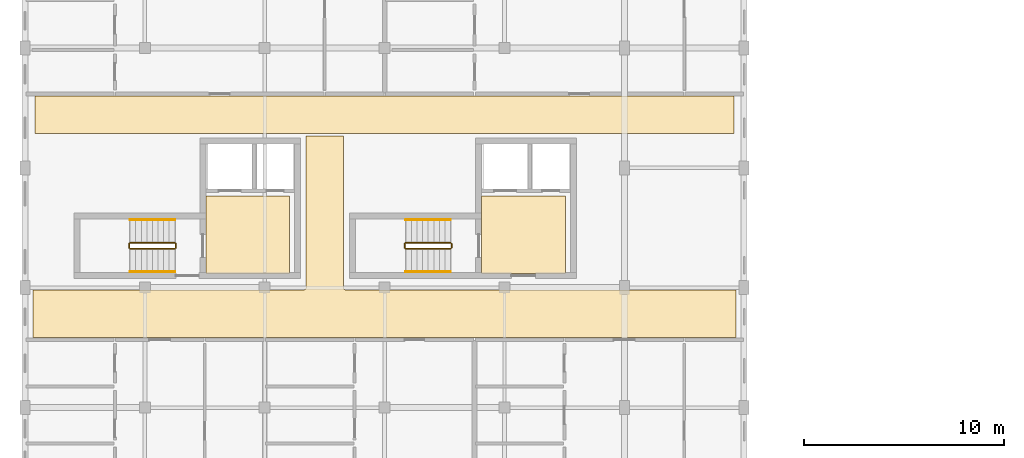
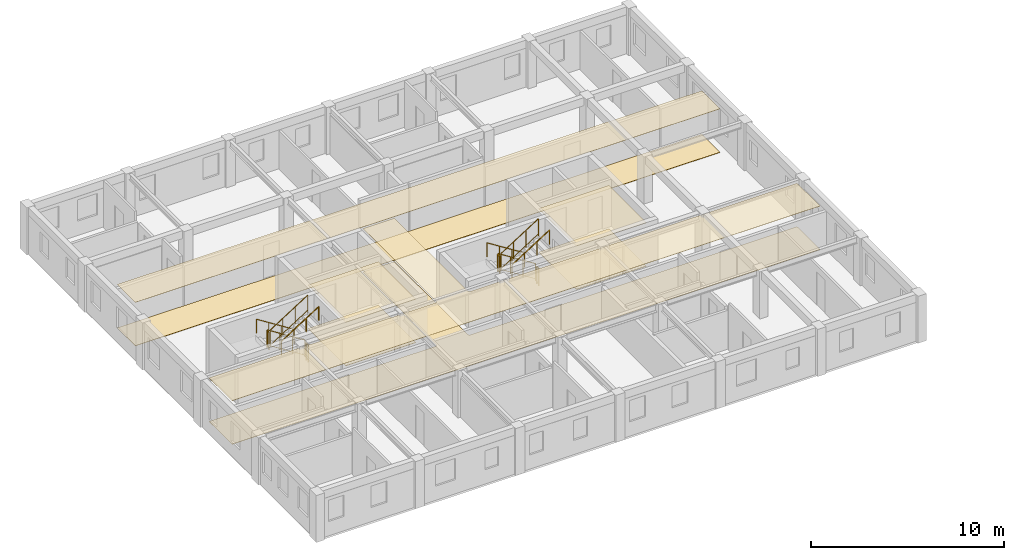
# One storey, part 25 of 28: 12 railings, 8 coverings.
"""IFC4 building model written with IfcOpenShell, lengths in metres."""

import ifcopenshell
import ifcopenshell.guid

model = None  # the IFC model being written
_history = None  # IfcOwnerHistory: only IFC2X3 demands one
_inside = {}  # id of a spatial element -> (the spatial element, [elements in it])
_under = {}  # id of a project, library or spatial element -> (it, [spatial elements below it])
_declared = {}  # id of a project -> (the project, [libraries it declares])
_typed = {}  # id of a type object -> (the type object, [elements of that type])
_made_of = {}  # id of a material, layer set ... -> (it, [elements and type objects made of it])


def new_model(schema):
    """Start an empty IFC model of exactly this schema.

    Asked for "IFC4X3", IfcOpenShell would pick the latest addendum, in which some entities
    have other attributes; the version numbers below select the first issue.
    IFC2X3 requires an IfcOwnerHistory on every rooted entity: one is made here for all.
    """
    global model, _history
    if schema == "IFC4X3":
        model = ifcopenshell.file(schema_version=(4, 3, 0, 0))
    else:
        model = ifcopenshell.file(schema=schema)
    _inside.clear()
    _under.clear()
    _declared.clear()
    _typed.clear()
    _made_of.clear()
    _history = None
    if model.schema == "IFC2X3":
        org = make("IfcOrganization", Name="unknown")
        user = make(
            "IfcPersonAndOrganization",
            ThePerson=make("IfcPerson", FamilyName="unknown"),
            TheOrganization=org,
        )
        app = make(
            "IfcApplication",
            ApplicationDeveloper=org,
            Version="unknown",
            ApplicationFullName="unknown",
            ApplicationIdentifier="unknown",
        )
        _history = make(
            "IfcOwnerHistory",
            OwningUser=user,
            OwningApplication=app,
            ChangeAction="ADDED",
            CreationDate=0,
        )
    return model


def make(cls, **values):
    """One entity of the class cls with the attributes given. An attribute that is None is left unset."""
    return model.create_entity(
        cls, **{name: value for name, value in values.items() if value is not None}
    )


def rooted(cls, **values):
    """An entity with a GlobalId (a new one), such as an element, a storey or a relation."""
    return make(cls, GlobalId=ifcopenshell.guid.new(), OwnerHistory=_history, **values)


def si_unit(unit_type, name, prefix=None):
    """IfcSIUnit, for example si_unit("LENGTHUNIT", "METRE", prefix="MILLI")."""
    return make("IfcSIUnit", UnitType=unit_type, Prefix=prefix, Name=name)


def assignment(units):
    """IfcUnitAssignment: the units of a project."""
    return None if units is None else make("IfcUnitAssignment", Units=units)


def point(xyz):
    """IfcCartesianPoint."""
    return None if xyz is None else make("IfcCartesianPoint", Coordinates=xyz)


def direction(xyz):
    """IfcDirection."""
    return None if xyz is None else make("IfcDirection", DirectionRatios=xyz)


def frame(location, z_axis=None, x_axis=None):
    """IfcAxis2Placement3D, a coordinate frame: its origin and axes. An axis left out is left unset."""
    return make(
        "IfcAxis2Placement3D",
        Location=point(location),
        Axis=direction(z_axis),
        RefDirection=direction(x_axis),
    )


def frame_2d(location, x_axis=None):
    """IfcAxis2Placement2D, a coordinate frame in the plane: its origin and x axis."""
    return make(
        "IfcAxis2Placement2D", Location=point(location), RefDirection=direction(x_axis)
    )


def origin():
    """The frame at (0, 0, 0) with its axes left unset."""
    return frame((0.0, 0.0, 0.0))


def origin_2d():
    """The frame at (0, 0) in the plane with its x axis left unset."""
    return frame_2d((0.0, 0.0))


def place(relative_to, where):
    """IfcLocalPlacement: puts the frame where relative to a parent placement (None: the world)."""
    return make(
        "IfcLocalPlacement", PlacementRelTo=relative_to, RelativePlacement=where
    )


def context(
    kind, dimensions, precision=None, world=None, true_north=None, identifier=None
):
    """IfcGeometricRepresentationContext, for example the 3D "Model" context."""
    return make(
        "IfcGeometricRepresentationContext",
        ContextIdentifier=identifier,
        ContextType=kind,
        CoordinateSpaceDimension=dimensions,
        Precision=precision,
        WorldCoordinateSystem=world,
        TrueNorth=true_north,
    )


def subcontext(parent, identifier, kind, view, scale=None):
    """IfcGeometricRepresentationSubContext, for example "Body" below "Model"."""
    return make(
        "IfcGeometricRepresentationSubContext",
        ContextIdentifier=identifier,
        ContextType=kind,
        ParentContext=parent,
        TargetScale=scale,
        TargetView=view,
    )


def project(units=None, contexts=None):
    """IfcProject with its units and contexts."""
    return rooted(
        "IfcProject",
        Name="project",
        RepresentationContexts=contexts,
        UnitsInContext=assignment(units),
    )


def spatial(cls, under=None, at=None, **own):
    """A site, building, storey or space (cls), placed at a placement, below another one or the project."""
    s = rooted(cls, ObjectPlacement=at, **own)
    if under is not None:
        _under.setdefault(under.id(), (under, []))[1].append(s)
    return s


def polyline(points):
    """IfcPolyline through the points."""
    return make("IfcPolyline", Points=[point(p) for p in points])


def profile(cls, at=None, kind="AREA", **sizes):
    """A parametric profile (cls). Its sizes go by their IFC names, for example OverallWidth=200.0."""
    return make(cls, ProfileType=kind, Position=at, **sizes)


def circle(**sizes):
    """IfcCircleProfileDef."""
    return profile("IfcCircleProfileDef", **sizes)


def outline(outer, holes=None, kind="AREA"):
    """IfcArbitraryClosedProfileDef: a profile drawn as a closed curve; with holes, ...WithVoids."""
    if holes is None:
        return make("IfcArbitraryClosedProfileDef", ProfileType=kind, OuterCurve=outer)
    return make(
        "IfcArbitraryProfileDefWithVoids",
        ProfileType=kind,
        OuterCurve=outer,
        InnerCurves=holes,
    )


def extrude(swept, where, along, depth):
    """IfcExtrudedAreaSolid: the profile swept, set in the frame where, extruded along a direction by depth."""
    return make(
        "IfcExtrudedAreaSolid",
        SweptArea=swept,
        Position=where,
        ExtrudedDirection=direction(along),
        Depth=depth,
    )


def shape(context_of_items, identifier, shape_type, items):
    """IfcShapeRepresentation: the items that make up one representation, for example the "Body"."""
    return make(
        "IfcShapeRepresentation",
        ContextOfItems=context_of_items,
        RepresentationIdentifier=identifier,
        RepresentationType=shape_type,
        Items=items,
    )


def material(Name=None, Category=None):
    """IfcMaterial."""
    return make("IfcMaterial", Name=Name, Category=Category)


def layer(
    of_material, thickness, ventilated=None, Name=None, Category=None, Priority=None
):
    """IfcMaterialLayer: one layer of a wall or slab, of a material (None: an air gap)."""
    return make(
        "IfcMaterialLayer",
        Material=of_material,
        LayerThickness=thickness,
        IsVentilated=ventilated,
        Name=Name,
        Category=Category,
        Priority=Priority,
    )


def layer_set(layers, Name=None):
    """IfcMaterialLayerSet."""
    return make("IfcMaterialLayerSet", MaterialLayers=layers, LayerSetName=Name)


def made_of(thing, what):
    """Note that an element or type object is made of a material, layer set ...; save() writes the relation."""
    if what is not None:
        _made_of.setdefault(what.id(), (what, []))[1].append(thing)
    return thing


def type_object(cls, material=None, **own):
    """A type object (cls), such as IfcWallType, which elements share."""
    return made_of(rooted(cls, **own), material)


def element(
    cls,
    number,
    at=None,
    inside=None,
    cuts=None,
    type_object=None,
    material=None,
    context=None,
    identifier="Body",
    shape_type=None,
    held_by="IfcProductDefinitionShape",
    body=None,
    shapes=None,
    **own,
):
    """One element of the class cls, such as IfcWall. Its Tag is "e" and its number.

    at: its placement. inside: the storey or other place that contains it. cuts: it is an
    opening in that element (IfcRelVoidsElement). A single representation is given by context,
    identifier, shape_type and body (its items); several are given by shapes. held_by: the class
    of the entity that holds the representations. save() writes the other relations.
    """
    e = rooted(cls, Tag="e%d" % number, ObjectPlacement=at, **own)
    if body is not None:
        shapes = [shape(context, identifier, shape_type, body)]
    if shapes is not None:
        e.Representation = make(held_by, Representations=shapes)
    if inside is not None:
        _inside.setdefault(inside.id(), (inside, []))[1].append(e)
    if cuts is not None:
        rooted(
            "IfcRelVoidsElement", RelatingBuildingElement=cuts, RelatedOpeningElement=e
        )
    if type_object is not None:
        _typed.setdefault(type_object.id(), (type_object, []))[1].append(e)
    return made_of(e, material)


def aggregate(whole, parts):
    """IfcRelAggregates: a whole, such as a stair, and the parts it consists of."""
    return rooted("IfcRelAggregates", RelatingObject=whole, RelatedObjects=parts)


def save(model, path):
    """Write the relations noted so far, then the file.

    IfcRelAggregates (storeys below a building ...), IfcRelContainedInSpatialStructure (elements
    in a storey), IfcRelDefinesByType, IfcRelAssociatesMaterial and IfcRelDeclares: one each for
    every whole, place, type object, material and project.
    """
    for whole, parts in _under.values():
        aggregate(whole, parts)
    for where, things in _inside.values():
        rooted(
            "IfcRelContainedInSpatialStructure",
            RelatedElements=things,
            RelatingStructure=where,
        )
    for kind, things in _typed.values():
        rooted("IfcRelDefinesByType", RelatedObjects=things, RelatingType=kind)
    for what, things in _made_of.values():
        rooted("IfcRelAssociatesMaterial", RelatedObjects=things, RelatingMaterial=what)
    for by, libraries in _declared.values():
        rooted("IfcRelDeclares", RelatingContext=by, RelatedDefinitions=libraries)
    model.write(path)


model = new_model("IFC4")

# Units and contexts
model_context = context("Model", 3, precision=1e-05, world=origin(), true_north=direction((0.0, 1.0)))
body_context = subcontext(model_context, "Body", "Model", "MODEL_VIEW")
ifc_project = project(units=[si_unit("LENGTHUNIT", "METRE"), si_unit("AREAUNIT", "SQUARE_METRE"), si_unit("VOLUMEUNIT", "CUBIC_METRE"), si_unit("PLANEANGLEUNIT", "RADIAN"), si_unit("MASSUNIT", "GRAM", prefix="KILO"), si_unit("POWERUNIT", "WATT"), si_unit("THERMODYNAMICTEMPERATUREUNIT", "KELVIN")], contexts=[model_context])

# Site, building, storey
site_placement = place(None, origin())
site = spatial("IfcSite", under=ifc_project, at=site_placement, CompositionType="ELEMENT")
building_placement = place(site_placement, origin())
building = spatial("IfcBuilding", under=site, at=building_placement, Name="Ruvembo Vaulted Housing Court", CompositionType="ELEMENT")
storey_placement = place(building_placement, frame((0.0, 0.0, 23.699951171875)))
storey = spatial("IfcBuildingStorey", under=building, at=storey_placement, Name="L07", CompositionType="ELEMENT", Elevation=23.699951171875)

# Coverings
ifc_material_1 = material(Name="Perforated Mineral-Fibre Acoustic Tile", Category="gypsum")
ifc_layer_1 = layer(ifc_material_1, 0.02001953125, Name="Perforated Mineral-Fibre Acoustic Tile")
ifc_layer_set_1 = layer_set([ifc_layer_1], Name="Perforated Mineral-Fibre Acoustic Tile")
covering_type_1 = type_object("IfcCoveringType", Name="COV-CEIL-ACOUST", PredefinedType="CEILING", material=ifc_layer_set_1)
covering_1_placement = place(storey_placement, frame((0.0, 0.0, 2.75)))
element("IfcCovering", 1, at=covering_1_placement, inside=storey, type_object=covering_type_1, Name="Firefighting Lift Lobby A1 Ceiling", PredefinedType="CEILING", context=body_context, shape_type="SweptSolid", body=[
    extrude(outline(polyline([(13.25, 22.60009765625), (9.050048828125, 22.60009765625), (9.050048828125, 18.699951171875), (13.25, 18.699951171875), (13.25, 22.60009765625)])), origin(), (0.0, 0.0, 1.0), 0.02001953125),
])
covering_2_placement = place(storey_placement, frame((0.0, 0.0, 2.75)))
element("IfcCovering", 2, at=covering_2_placement, inside=storey, type_object=covering_type_1, Name="Firefighting Lift Lobby A2 Ceiling", PredefinedType="CEILING", context=body_context, shape_type="SweptSolid", body=[
    extrude(outline(polyline([(27.050048828125, 22.60009765625), (22.85009765625, 22.60009765625), (22.85009765625, 18.699951171875), (27.050048828125, 18.699951171875), (27.050048828125, 22.60009765625)])), origin(), (0.0, 0.0, 1.0), 0.02001953125),
])
covering_3_placement = place(storey_placement, frame((0.0, 0.0, 2.75)))
element("IfcCovering", 3, at=covering_3_placement, inside=storey, type_object=covering_type_1, Name="Block A L07 Corridor Ceiling", PredefinedType="CEILING", context=body_context, shape_type="SweptSolid", body=[
    extrude(outline(polyline([(35.590087890625, 15.510009765625), (35.590087890625, 17.889892578125), (16.050048828125, 17.889892578125), (16.039306640625, 17.890380859375), (16.028564453125, 17.89208984375), (16.01806640625, 17.894775390625), (16.0078125, 17.8984375), (15.998046875, 17.903076171875), (15.989013671875, 17.908447265625), (15.980224609375, 17.9150390625), (15.97216796875, 17.922119140625), (15.965087890625, 17.93017578125), (15.95849609375, 17.93896484375), (15.952880859375, 17.947998046875), (15.948486328125, 17.9580078125), (15.944580078125, 17.968017578125), (15.942138671875, 17.978515625), (15.9404296875, 17.9892578125), (15.93994140625, 18.0), (15.93994140625, 25.590087890625), (14.06005859375, 25.590087890625), (14.06005859375, 18.0), (14.0595703125, 17.9892578125), (14.057861328125, 17.978515625), (14.055419921875, 17.968017578125), (14.051513671875, 17.9580078125), (14.047119140625, 17.947998046875), (14.04150390625, 17.93896484375), (14.034912109375, 17.93017578125), (14.02783203125, 17.922119140625), (14.019775390625, 17.9150390625), (14.010986328125, 17.908447265625), (14.001953125, 17.903076171875), (13.9921875, 17.8984375), (13.98193359375, 17.894775390625), (13.971435546875, 17.89208984375), (13.960693359375, 17.890380859375), (13.949951171875, 17.889892578125), (0.409912109375, 17.889892578125), (0.409912109375, 15.510009765625), (35.590087890625, 15.510009765625)])), origin(), (0.0, 0.0, 1.0), 0.02001953125),
])
covering_4_placement = place(storey_placement, frame((0.0, 0.0, 2.75)))
element("IfcCovering", 4, at=covering_4_placement, inside=storey, type_object=covering_type_1, Name="Block A L07 North Sub-Corridor Ceiling", PredefinedType="CEILING", context=body_context, shape_type="SweptSolid", body=[
    extrude(outline(polyline([(0.510009765625, 25.7099609375), (35.489990234375, 25.7099609375), (35.489990234375, 27.590087890625), (0.510009765625, 27.590087890625), (0.510009765625, 25.7099609375)])), origin(), (0.0, 0.0, 1.0), 0.02001953125),
])
ifc_material_2 = material(Name="Polished Cement-Aggregate Terrazzo", Category="stone")
ifc_layer_2 = layer(ifc_material_2, 0.02197265625, Name="Polished Cement-Aggregate Terrazzo")
ifc_layer_set_2 = layer_set([ifc_layer_2], Name="Polished Cement-Aggregate Terrazzo")
covering_type_2 = type_object("IfcCoveringType", Name="COV-FLR-CERAMIC", PredefinedType="FLOORING", material=ifc_layer_set_2)
covering_5_placement = place(storey_placement, origin())
element("IfcCovering", 5, at=covering_5_placement, inside=storey, type_object=covering_type_2, Name="Firefighting Lift Lobby A1 Flooring", PredefinedType="FLOORING", context=body_context, shape_type="SweptSolid", body=[
    extrude(outline(polyline([(13.25, 22.60009765625), (9.050048828125, 22.60009765625), (9.050048828125, 18.699951171875), (13.25, 18.699951171875), (13.25, 22.60009765625)])), origin(), (0.0, 0.0, 1.0), 0.02197265625),
])
covering_6_placement = place(storey_placement, origin())
element("IfcCovering", 6, at=covering_6_placement, inside=storey, type_object=covering_type_2, Name="Firefighting Lift Lobby A2 Flooring", PredefinedType="FLOORING", context=body_context, shape_type="SweptSolid", body=[
    extrude(outline(polyline([(27.050048828125, 22.60009765625), (22.85009765625, 22.60009765625), (22.85009765625, 18.699951171875), (27.050048828125, 18.699951171875), (27.050048828125, 22.60009765625)])), origin(), (0.0, 0.0, 1.0), 0.02197265625),
])
covering_7_placement = place(storey_placement, origin())
element("IfcCovering", 7, at=covering_7_placement, inside=storey, type_object=covering_type_2, Name="Block A L07 Corridor Flooring", PredefinedType="FLOORING", context=body_context, shape_type="SweptSolid", body=[
    extrude(outline(polyline([(35.590087890625, 15.510009765625), (35.590087890625, 17.889892578125), (16.050048828125, 17.889892578125), (16.039306640625, 17.890380859375), (16.028564453125, 17.89208984375), (16.01806640625, 17.894775390625), (16.0078125, 17.8984375), (15.998046875, 17.903076171875), (15.989013671875, 17.908447265625), (15.980224609375, 17.9150390625), (15.97216796875, 17.922119140625), (15.965087890625, 17.93017578125), (15.95849609375, 17.93896484375), (15.952880859375, 17.947998046875), (15.948486328125, 17.9580078125), (15.944580078125, 17.968017578125), (15.942138671875, 17.978515625), (15.9404296875, 17.9892578125), (15.93994140625, 18.0), (15.93994140625, 25.590087890625), (14.06005859375, 25.590087890625), (14.06005859375, 18.0), (14.0595703125, 17.9892578125), (14.057861328125, 17.978515625), (14.055419921875, 17.968017578125), (14.051513671875, 17.9580078125), (14.047119140625, 17.947998046875), (14.04150390625, 17.93896484375), (14.034912109375, 17.93017578125), (14.02783203125, 17.922119140625), (14.019775390625, 17.9150390625), (14.010986328125, 17.908447265625), (14.001953125, 17.903076171875), (13.9921875, 17.8984375), (13.98193359375, 17.894775390625), (13.971435546875, 17.89208984375), (13.960693359375, 17.890380859375), (13.949951171875, 17.889892578125), (0.409912109375, 17.889892578125), (0.409912109375, 15.510009765625), (35.590087890625, 15.510009765625)])), origin(), (0.0, 0.0, 1.0), 0.02197265625),
])
covering_8_placement = place(storey_placement, origin())
element("IfcCovering", 8, at=covering_8_placement, inside=storey, type_object=covering_type_2, Name="Block A L07 North Sub-Corridor Flooring", PredefinedType="FLOORING", context=body_context, shape_type="SweptSolid", body=[
    extrude(outline(polyline([(0.510009765625, 25.7099609375), (35.489990234375, 25.7099609375), (35.489990234375, 27.590087890625), (0.510009765625, 27.590087890625), (0.510009765625, 25.7099609375)])), origin(), (0.0, 0.0, 1.0), 0.02197265625),
])

# Railings
ifc_material_3 = material(Name="Painted Galvanised Steel S275", Category="steel")
ifc_layer_3 = layer(ifc_material_3, 0.06005859375, Name="Painted Galvanised Steel S275")
ifc_layer_set_3 = layer_set([ifc_layer_3], Name="Painted Galvanised Steel S275")
railing_type_1 = type_object("IfcRailingType", Name="RL-STAIR-GR1100", PredefinedType="GUARDRAIL", material=ifc_layer_set_3)
railing_1_placement = place(storey_placement, frame((7.5, 20.25, 0.177734375)))
element("IfcRailing", 9, at=railing_1_placement, inside=storey, type_object=railing_type_1, Name="L07 ST-A1 stair guard 1", PredefinedType="GUARDRAIL", context=body_context, shape_type="SweptSolid", body=[
    extrude(circle(Radius=0.02392578125, at=origin_2d()), frame((0.0, 0.0, 1.076171875), z_axis=(-0.84418770128, 0.0, 0.536047689118), x_axis=(0.0, -1.0, 0.0)), (0.0, 0.0, 1.0), 2.6533203125),
    extrude(circle(Radius=0.01806640625, at=origin_2d()), frame((0.0, 0.0, 0.1201171875), z_axis=(-0.84418770128, 0.0, 0.536047689118), x_axis=(0.0, -1.0, 0.0)), (0.0, 0.0, 1.0), 2.6533203125),
    extrude(circle(Radius=0.02099609375, at=origin_2d()), origin(), (0.0, 0.0, 1.0), 1.052001953125),
    extrude(circle(Radius=0.02099609375, at=origin_2d()), frame((-0.74658203125, 0.0, 0.47412109375)), (0.0, 0.0, 1.0), 1.052001953125),
    extrude(circle(Radius=0.02099609375, at=origin_2d()), frame((-1.493408203125, 0.0, 0.9482421875)), (0.0, 0.0, 1.0), 1.052001953125),
    extrude(circle(Radius=0.02099609375, at=origin_2d()), frame((-2.239990234375, 0.0, 1.42236328125)), (0.0, 0.0, 1.0), 1.052001953125),
])
railing_2_placement = place(storey_placement, frame((5.2099609375, 20.199951171875, 1.60009765625)))
element("IfcRailing", 10, at=railing_2_placement, inside=storey, type_object=railing_type_1, Name="L07 ST-A1 stair guard 2", PredefinedType="GUARDRAIL", context=body_context, shape_type="SweptSolid", body=[
    extrude(circle(Radius=0.02392578125, at=origin_2d()), frame((0.0, 0.0, 1.076171875), z_axis=(0.0, -1.0, 0.0), x_axis=(1.0, 0.0, 0.0)), (0.0, 0.0, 1.0), 0.199951171875),
    extrude(circle(Radius=0.01806640625, at=origin_2d()), frame((0.0, 0.0, 0.1201171875), z_axis=(0.0, -1.0, 0.0), x_axis=(1.0, 0.0, 0.0)), (0.0, 0.0, 1.0), 0.199951171875),
    extrude(circle(Radius=0.02099609375, at=origin_2d()), origin(), (0.0, 0.0, 1.0), 1.052001953125),
    extrude(circle(Radius=0.02099609375, at=origin_2d()), frame((0.0, -0.199951171875, 0.0)), (0.0, 0.0, 1.0), 1.052001953125),
])
railing_3_placement = place(storey_placement, frame((5.260009765625, 19.949951171875, 1.77783203125)))
element("IfcRailing", 11, at=railing_3_placement, inside=storey, type_object=railing_type_1, Name="L07 ST-A1 stair guard 3", PredefinedType="GUARDRAIL", context=body_context, shape_type="SweptSolid", body=[
    extrude(circle(Radius=0.02392578125, at=origin_2d()), frame((0.0, 0.0, 1.076171875), z_axis=(0.8442293374, 0.0, 0.53598211339), x_axis=(0.0, 1.0, 0.0)), (0.0, 0.0, 1.0), 2.6533203125),
    extrude(circle(Radius=0.01806640625, at=origin_2d()), frame((0.0, 0.0, 0.1201171875), z_axis=(0.8442293374, 0.0, 0.53598211339), x_axis=(0.0, 1.0, 0.0)), (0.0, 0.0, 1.0), 2.6533203125),
    extrude(circle(Radius=0.02099609375, at=origin_2d()), origin(), (0.0, 0.0, 1.0), 1.052001953125),
    extrude(circle(Radius=0.02099609375, at=origin_2d()), frame((0.74658203125, 0.0, 0.47412109375)), (0.0, 0.0, 1.0), 1.052001953125),
    extrude(circle(Radius=0.02099609375, at=origin_2d()), frame((1.493408203125, 0.0, 0.947998046875)), (0.0, 0.0, 1.0), 1.052001953125),
    extrude(circle(Radius=0.02099609375, at=origin_2d()), frame((2.239990234375, 0.0, 1.422119140625)), (0.0, 0.0, 1.0), 1.052001953125),
])
railing_4_placement = place(storey_placement, frame((7.550048828125, 20.199951171875, 0.0)))
element("IfcRailing", 12, at=railing_4_placement, inside=storey, type_object=railing_type_1, Name="L07 ST-A1 stair guard 4", PredefinedType="GUARDRAIL", context=body_context, shape_type="SweptSolid", body=[
    extrude(circle(Radius=0.02392578125, at=origin_2d()), frame((0.0, 0.0, 1.076171875), z_axis=(0.0, -1.0, 0.0), x_axis=(1.0, 0.0, 0.0)), (0.0, 0.0, 1.0), 0.199951171875),
    extrude(circle(Radius=0.01806640625, at=origin_2d()), frame((0.0, 0.0, 0.1201171875), z_axis=(0.0, -1.0, 0.0), x_axis=(1.0, 0.0, 0.0)), (0.0, 0.0, 1.0), 0.199951171875),
    extrude(circle(Radius=0.02099609375, at=origin_2d()), origin(), (0.0, 0.0, 1.0), 1.052001953125),
    extrude(circle(Radius=0.02099609375, at=origin_2d()), frame((0.0, -0.199951171875, 0.0)), (0.0, 0.0, 1.0), 1.052001953125),
])
railing_5_placement = place(storey_placement, frame((21.300048828125, 20.25, 0.177734375)))
element("IfcRailing", 13, at=railing_5_placement, inside=storey, type_object=railing_type_1, Name="L07 ST-A2 stair guard 1", PredefinedType="GUARDRAIL", context=body_context, shape_type="SweptSolid", body=[
    extrude(circle(Radius=0.02392578125, at=origin_2d()), frame((0.0, 0.0, 1.076171875), z_axis=(-0.84418770128, 0.0, 0.536047689118), x_axis=(0.0, -1.0, 0.0)), (0.0, 0.0, 1.0), 2.6533203125),
    extrude(circle(Radius=0.01806640625, at=origin_2d()), frame((0.0, 0.0, 0.1201171875), z_axis=(-0.84418770128, 0.0, 0.536047689118), x_axis=(0.0, -1.0, 0.0)), (0.0, 0.0, 1.0), 2.6533203125),
    extrude(circle(Radius=0.02099609375, at=origin_2d()), origin(), (0.0, 0.0, 1.0), 1.052001953125),
    extrude(circle(Radius=0.02099609375, at=origin_2d()), frame((-0.74658203125, 0.0, 0.47412109375)), (0.0, 0.0, 1.0), 1.052001953125),
    extrude(circle(Radius=0.02099609375, at=origin_2d()), frame((-1.493408203125, 0.0, 0.9482421875)), (0.0, 0.0, 1.0), 1.052001953125),
    extrude(circle(Radius=0.02099609375, at=origin_2d()), frame((-2.239990234375, 0.0, 1.42236328125)), (0.0, 0.0, 1.0), 1.052001953125),
])
railing_6_placement = place(storey_placement, frame((19.010009765625, 20.199951171875, 1.60009765625)))
element("IfcRailing", 14, at=railing_6_placement, inside=storey, type_object=railing_type_1, Name="L07 ST-A2 stair guard 2", PredefinedType="GUARDRAIL", context=body_context, shape_type="SweptSolid", body=[
    extrude(circle(Radius=0.02392578125, at=origin_2d()), frame((0.0, 0.0, 1.076171875), z_axis=(0.0, -1.0, 0.0), x_axis=(1.0, 0.0, 0.0)), (0.0, 0.0, 1.0), 0.199951171875),
    extrude(circle(Radius=0.01806640625, at=origin_2d()), frame((0.0, 0.0, 0.1201171875), z_axis=(0.0, -1.0, 0.0), x_axis=(1.0, 0.0, 0.0)), (0.0, 0.0, 1.0), 0.199951171875),
    extrude(circle(Radius=0.02099609375, at=origin_2d()), origin(), (0.0, 0.0, 1.0), 1.052001953125),
    extrude(circle(Radius=0.02099609375, at=origin_2d()), frame((0.0, -0.199951171875, 0.0)), (0.0, 0.0, 1.0), 1.052001953125),
])
railing_7_placement = place(storey_placement, frame((19.06005859375, 19.949951171875, 1.77783203125)))
element("IfcRailing", 15, at=railing_7_placement, inside=storey, type_object=railing_type_1, Name="L07 ST-A2 stair guard 3", PredefinedType="GUARDRAIL", context=body_context, shape_type="SweptSolid", body=[
    extrude(circle(Radius=0.02392578125, at=origin_2d()), frame((0.0, 0.0, 1.076171875), z_axis=(0.8442293374, 0.0, 0.53598211339), x_axis=(0.0, 1.0, 0.0)), (0.0, 0.0, 1.0), 2.6533203125),
    extrude(circle(Radius=0.01806640625, at=origin_2d()), frame((0.0, 0.0, 0.1201171875), z_axis=(0.8442293374, 0.0, 0.53598211339), x_axis=(0.0, 1.0, 0.0)), (0.0, 0.0, 1.0), 2.6533203125),
    extrude(circle(Radius=0.02099609375, at=origin_2d()), origin(), (0.0, 0.0, 1.0), 1.052001953125),
    extrude(circle(Radius=0.02099609375, at=origin_2d()), frame((0.74658203125, 0.0, 0.47412109375)), (0.0, 0.0, 1.0), 1.052001953125),
    extrude(circle(Radius=0.02099609375, at=origin_2d()), frame((1.493408203125, 0.0, 0.947998046875)), (0.0, 0.0, 1.0), 1.052001953125),
    extrude(circle(Radius=0.02099609375, at=origin_2d()), frame((2.239990234375, 0.0, 1.422119140625)), (0.0, 0.0, 1.0), 1.052001953125),
])
railing_8_placement = place(storey_placement, frame((21.35009765625, 20.199951171875, 0.0)))
element("IfcRailing", 16, at=railing_8_placement, inside=storey, type_object=railing_type_1, Name="L07 ST-A2 stair guard 4", PredefinedType="GUARDRAIL", context=body_context, shape_type="SweptSolid", body=[
    extrude(circle(Radius=0.02392578125, at=origin_2d()), frame((0.0, 0.0, 1.076171875), z_axis=(0.0, -1.0, 0.0), x_axis=(1.0, 0.0, 0.0)), (0.0, 0.0, 1.0), 0.199951171875),
    extrude(circle(Radius=0.01806640625, at=origin_2d()), frame((0.0, 0.0, 0.1201171875), z_axis=(0.0, -1.0, 0.0), x_axis=(1.0, 0.0, 0.0)), (0.0, 0.0, 1.0), 0.199951171875),
    extrude(circle(Radius=0.02099609375, at=origin_2d()), origin(), (0.0, 0.0, 1.0), 1.052001953125),
    extrude(circle(Radius=0.02099609375, at=origin_2d()), frame((0.0, -0.199951171875, 0.0)), (0.0, 0.0, 1.0), 1.052001953125),
])
ifc_material_4 = material(Name="Brushed Stainless Steel 304", Category="steel")
ifc_layer_4 = layer(ifc_material_4, 0.050048828125, Name="Brushed Stainless Steel 304")
ifc_layer_set_4 = layer_set([ifc_layer_4], Name="Brushed Stainless Steel 304")
railing_type_2 = type_object("IfcRailingType", Name="RL-STAIR-HR920", PredefinedType="HANDRAIL", material=ifc_layer_set_4)
railing_9_placement = place(storey_placement, frame((7.5, 21.39990234375, 0.359375)))
element("IfcRailing", 17, at=railing_9_placement, inside=storey, type_object=railing_type_2, Name="L07 ST-A1 stair handrail 1", PredefinedType="HANDRAIL", context=body_context, shape_type="SweptSolid", body=[
    extrude(circle(Radius=0.02392578125, at=origin_2d()), frame((0.0, 0.0, 0.8759765625), z_axis=(-0.8442293374, 0.0, 0.53598211339), x_axis=(0.0, -1.0, 0.0)), (0.0, 0.0, 1.0), 2.6533203125),
    extrude(circle(Radius=0.02099609375, at=origin_2d()), origin(), (0.0, 0.0, 1.0), 0.851806640625),
    extrude(circle(Radius=0.02099609375, at=origin_2d()), frame((-0.74658203125, 0.0, 0.47412109375)), (0.0, 0.0, 1.0), 0.851806640625),
    extrude(circle(Radius=0.02099609375, at=origin_2d()), frame((-1.493408203125, 0.0, 0.947998046875)), (0.0, 0.0, 1.0), 0.851806640625),
    extrude(circle(Radius=0.02099609375, at=origin_2d()), frame((-2.239990234375, 0.0, 1.422119140625)), (0.0, 0.0, 1.0), 0.851806640625),
])
railing_10_placement = place(storey_placement, frame((5.260009765625, 18.800048828125, 1.959228515625)))
element("IfcRailing", 18, at=railing_10_placement, inside=storey, type_object=railing_type_2, Name="L07 ST-A1 stair handrail 2", PredefinedType="HANDRAIL", context=body_context, shape_type="SweptSolid", body=[
    extrude(circle(Radius=0.02392578125, at=origin_2d()), frame((0.0, 0.0, 0.8759765625), z_axis=(0.84418770128, 0.0, 0.536047689118), x_axis=(0.0, 1.0, 0.0)), (0.0, 0.0, 1.0), 2.6533203125),
    extrude(circle(Radius=0.02099609375, at=origin_2d()), origin(), (0.0, 0.0, 1.0), 0.851806640625),
    extrude(circle(Radius=0.02099609375, at=origin_2d()), frame((0.74658203125, 0.0, 0.47412109375)), (0.0, 0.0, 1.0), 0.851806640625),
    extrude(circle(Radius=0.02099609375, at=origin_2d()), frame((1.493408203125, 0.0, 0.9482421875)), (0.0, 0.0, 1.0), 0.851806640625),
    extrude(circle(Radius=0.02099609375, at=origin_2d()), frame((2.239990234375, 0.0, 1.42236328125)), (0.0, 0.0, 1.0), 0.851806640625),
])
railing_11_placement = place(storey_placement, frame((21.300048828125, 21.39990234375, 0.359375)))
element("IfcRailing", 19, at=railing_11_placement, inside=storey, type_object=railing_type_2, Name="L07 ST-A2 stair handrail 1", PredefinedType="HANDRAIL", context=body_context, shape_type="SweptSolid", body=[
    extrude(circle(Radius=0.02392578125, at=origin_2d()), frame((0.0, 0.0, 0.8759765625), z_axis=(-0.8442293374, 0.0, 0.53598211339), x_axis=(0.0, -1.0, 0.0)), (0.0, 0.0, 1.0), 2.6533203125),
    extrude(circle(Radius=0.02099609375, at=origin_2d()), origin(), (0.0, 0.0, 1.0), 0.851806640625),
    extrude(circle(Radius=0.02099609375, at=origin_2d()), frame((-0.74658203125, 0.0, 0.47412109375)), (0.0, 0.0, 1.0), 0.851806640625),
    extrude(circle(Radius=0.02099609375, at=origin_2d()), frame((-1.493408203125, 0.0, 0.947998046875)), (0.0, 0.0, 1.0), 0.851806640625),
    extrude(circle(Radius=0.02099609375, at=origin_2d()), frame((-2.239990234375, 0.0, 1.422119140625)), (0.0, 0.0, 1.0), 0.851806640625),
])
railing_12_placement = place(storey_placement, frame((19.06005859375, 18.800048828125, 1.959228515625)))
element("IfcRailing", 20, at=railing_12_placement, inside=storey, type_object=railing_type_2, Name="L07 ST-A2 stair handrail 2", PredefinedType="HANDRAIL", context=body_context, shape_type="SweptSolid", body=[
    extrude(circle(Radius=0.02392578125, at=origin_2d()), frame((0.0, 0.0, 0.8759765625), z_axis=(0.84418770128, 0.0, 0.536047689118), x_axis=(0.0, 1.0, 0.0)), (0.0, 0.0, 1.0), 2.6533203125),
    extrude(circle(Radius=0.02099609375, at=origin_2d()), origin(), (0.0, 0.0, 1.0), 0.851806640625),
    extrude(circle(Radius=0.02099609375, at=origin_2d()), frame((0.74658203125, 0.0, 0.47412109375)), (0.0, 0.0, 1.0), 0.851806640625),
    extrude(circle(Radius=0.02099609375, at=origin_2d()), frame((1.493408203125, 0.0, 0.9482421875)), (0.0, 0.0, 1.0), 0.851806640625),
    extrude(circle(Radius=0.02099609375, at=origin_2d()), frame((2.239990234375, 0.0, 1.42236328125)), (0.0, 0.0, 1.0), 0.851806640625),
])

save(model, "model.ifc")
